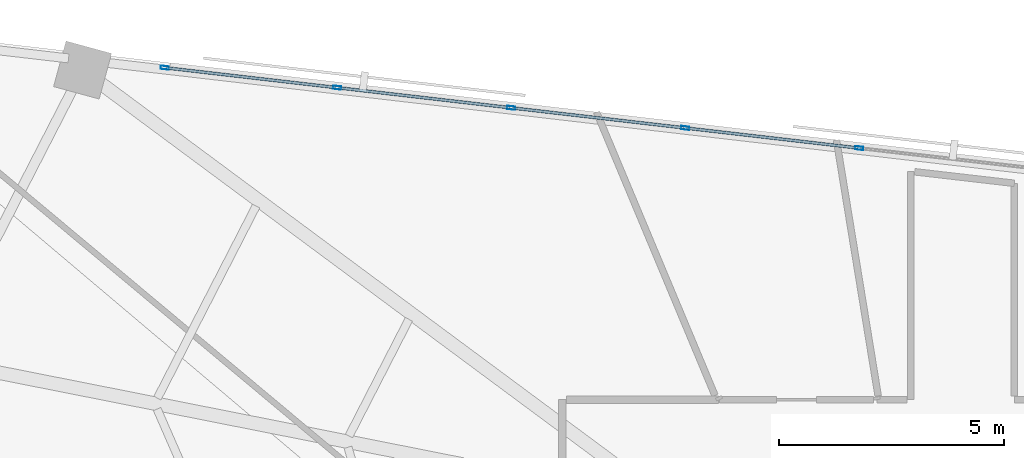
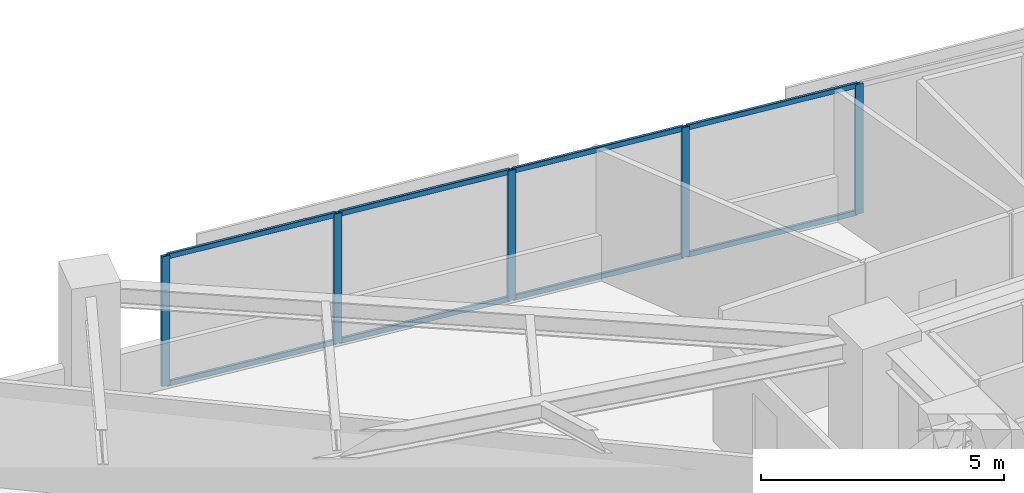
# One storey, part 7 of 13: 13 members, 1 element without a shape of its own.
"""IFC4 building model written with IfcOpenShell, lengths in metres."""

from ifc_helpers import new_model, si_unit, direction, frame, origin, origin_2d, place, context, subcontext, project, spatial, hollow_rectangle, extrude, material, material_profile, profile_set, type_object, element, aggregate, save


model = new_model("IFC4")

# Units and contexts
model_context = context("Model", 3, precision=1e-05, world=origin(), true_north=direction((0.0, 1.0)))
body_context = subcontext(model_context, "Body", "Model", "MODEL_VIEW")
ifc_project = project(units=[si_unit("LENGTHUNIT", "METRE"), si_unit("AREAUNIT", "SQUARE_METRE"), si_unit("VOLUMEUNIT", "CUBIC_METRE"), si_unit("PLANEANGLEUNIT", "RADIAN"), si_unit("MASSUNIT", "GRAM", prefix="KILO")], contexts=[model_context])

# Site, building, storey
site_placement = place(None, origin())
site = spatial("IfcSite", under=ifc_project, at=site_placement, CompositionType="ELEMENT")
building_placement = place(site_placement, origin())
building = spatial("IfcBuilding", under=site, at=building_placement, Name="Narakoshi Arena Tower", CompositionType="ELEMENT")
storey_placement = place(building_placement, frame((0.0, 0.0, 200.89990234375)))
storey = spatial("IfcBuildingStorey", under=building, at=storey_placement, Name="L54", CompositionType="ELEMENT", Elevation=200.89990234375)

# Curtain wall, members
ifc_material = material(Name="Anodised bronze aluminium 6063-T6", Category="aluminium")
curtain_wall_type = type_object("IfcCurtainWallType", Name="CW-HYP-MID", PredefinedType="NOTDEFINED", material=ifc_material)
curtain_wall_placement = place(storey_placement, origin())
curtain_wall = element("IfcCurtainWall", 1, at=curtain_wall_placement, inside=storey, type_object=curtain_wall_type, Name="L54 Folded Hypotenuse Curtain Wall 2-1", PredefinedType="NOTDEFINED")
ifc_material_profile_1 = material_profile(ifc_material, hollow_rectangle(XDim=0.074951171875, YDim=0.179931640625, WallThickness=0.00390625, OuterFilletRadius=0.0048828125, at=origin_2d()), Name="MUL180x75x4")
ifc_profile_set_1 = profile_set([ifc_material_profile_1], Name="Anodised bronze aluminium 6063-T6")
member_type_1 = type_object("IfcMemberType", Name="MEM-MUL-180", PredefinedType="MULLION", material=ifc_profile_set_1)
member_1_placement = place(storey_placement, frame((76.20068359375, 64.446533203125, 0.0), z_axis=(0.0, 0.0, 1.0), x_axis=(-0.115011296816, -0.993364183774, 0.0)))
member_1 = element("IfcMember", 2, at=member_1_placement, type_object=member_type_1, Name="CW-02 mullion 3", PredefinedType="MULLION", context=body_context, shape_type="SweptSolid", body=[
    extrude(hollow_rectangle(XDim=0.074951171875, YDim=0.179931640625, WallThickness=0.00390625, OuterFilletRadius=0.0048828125, at=origin_2d()), origin(), (0.0, 0.0, 1.0), 3.260009765625),
])
member_2_placement = place(storey_placement, frame((72.33154296875, 64.894287109375, 0.0), z_axis=(0.0, 0.0, 1.0), x_axis=(-0.115011296816, -0.993364183774, 0.0)))
member_2 = element("IfcMember", 3, at=member_2_placement, type_object=member_type_1, Name="CW-02 mullion 4", PredefinedType="MULLION", context=body_context, shape_type="SweptSolid", body=[
    extrude(hollow_rectangle(XDim=0.074951171875, YDim=0.179931640625, WallThickness=0.00390625, OuterFilletRadius=0.0048828125, at=origin_2d()), origin(), (0.0, 0.0, 1.0), 3.260009765625),
])
member_3_placement = place(storey_placement, frame((68.46240234375, 65.34228515625, 0.0), z_axis=(0.0, 0.0, 1.0), x_axis=(-0.115011296816, -0.993364183774, 0.0)))
member_3 = element("IfcMember", 4, at=member_3_placement, type_object=member_type_1, Name="CW-02 mullion 5", PredefinedType="MULLION", context=body_context, shape_type="SweptSolid", body=[
    extrude(hollow_rectangle(XDim=0.074951171875, YDim=0.179931640625, WallThickness=0.00390625, OuterFilletRadius=0.0048828125, at=origin_2d()), origin(), (0.0, 0.0, 1.0), 3.260009765625),
])
member_4_placement = place(storey_placement, frame((64.59326171875, 65.790283203125, 0.0), z_axis=(0.0, 0.0, 1.0), x_axis=(-0.115011296816, -0.993364183774, 0.0)))
member_4 = element("IfcMember", 5, at=member_4_placement, type_object=member_type_1, Name="CW-02 mullion 6", PredefinedType="MULLION", context=body_context, shape_type="SweptSolid", body=[
    extrude(hollow_rectangle(XDim=0.074951171875, YDim=0.179931640625, WallThickness=0.00390625, OuterFilletRadius=0.0048828125, at=origin_2d()), origin(), (0.0, 0.0, 1.0), 3.260009765625),
])
member_5_placement = place(storey_placement, frame((60.76123046875, 66.23388671875, 0.0), z_axis=(0.0, 0.0, 1.0), x_axis=(-0.115011296816, -0.993364183774, 0.0)))
member_5 = element("IfcMember", 6, at=member_5_placement, type_object=member_type_1, Name="CW-02 mullion 7", PredefinedType="MULLION", context=body_context, shape_type="SweptSolid", body=[
    extrude(hollow_rectangle(XDim=0.074951171875, YDim=0.179931640625, WallThickness=0.00390625, OuterFilletRadius=0.0048828125, at=origin_2d()), origin(), (0.0, 0.0, 1.0), 3.260009765625),
])
ifc_material_profile_2 = material_profile(ifc_material, hollow_rectangle(XDim=0.06494140625, YDim=0.1298828125, WallThickness=0.00390625, OuterFilletRadius=0.0048828125, at=origin_2d()), Name="TRN130x65x4")
ifc_profile_set_2 = profile_set([ifc_material_profile_2], Name="Anodised bronze aluminium 6063-T6")
member_type_2 = type_object("IfcMemberType", Name="MEM-TRN-130", PredefinedType="USERDEFINED", material=ifc_profile_set_2)
member_6_placement = place(storey_placement, frame((76.163330078125, 64.45068359375, 0.03271484375), z_axis=(-0.993360986362, 0.115038909828, 0.0), x_axis=(-0.115038909828, -0.993360986362, 0.0)))
member_6 = element("IfcMember", 7, at=member_6_placement, type_object=member_type_2, Name="CW-02 transom 3.1", ObjectType="TRANSOM", PredefinedType="USERDEFINED", context=body_context, shape_type="SweptSolid", body=[
    extrude(hollow_rectangle(XDim=0.06494140625, YDim=0.1298828125, WallThickness=0.00390625, OuterFilletRadius=0.0048828125, at=origin_2d()), origin(), (0.0, 0.0, 1.0), 3.820068359375),
])
member_7_placement = place(storey_placement, frame((76.163330078125, 64.45068359375, 3.2275390625), z_axis=(-0.993360986362, 0.115038909828, 0.0), x_axis=(-0.115038909828, -0.993360986362, 0.0)))
member_7 = element("IfcMember", 8, at=member_7_placement, type_object=member_type_2, Name="CW-02 transom 3.2", ObjectType="TRANSOM", PredefinedType="USERDEFINED", context=body_context, shape_type="SweptSolid", body=[
    extrude(hollow_rectangle(XDim=0.06494140625, YDim=0.1298828125, WallThickness=0.00390625, OuterFilletRadius=0.0048828125, at=origin_2d()), origin(), (0.0, 0.0, 1.0), 3.820068359375),
])
member_8_placement = place(storey_placement, frame((72.294189453125, 64.898681640625, 0.03271484375), z_axis=(-0.993360986362, 0.115038909828, 0.0), x_axis=(-0.115038909828, -0.993360986362, 0.0)))
member_8 = element("IfcMember", 9, at=member_8_placement, type_object=member_type_2, Name="CW-02 transom 4.1", ObjectType="TRANSOM", PredefinedType="USERDEFINED", context=body_context, shape_type="SweptSolid", body=[
    extrude(hollow_rectangle(XDim=0.06494140625, YDim=0.1298828125, WallThickness=0.00390625, OuterFilletRadius=0.0048828125, at=origin_2d()), origin(), (0.0, 0.0, 1.0), 3.820068359375),
])
member_9_placement = place(storey_placement, frame((72.294189453125, 64.898681640625, 3.2275390625), z_axis=(-0.993360986362, 0.115038909828, 0.0), x_axis=(-0.115038909828, -0.993360986362, 0.0)))
member_9 = element("IfcMember", 10, at=member_9_placement, type_object=member_type_2, Name="CW-02 transom 4.2", ObjectType="TRANSOM", PredefinedType="USERDEFINED", context=body_context, shape_type="SweptSolid", body=[
    extrude(hollow_rectangle(XDim=0.06494140625, YDim=0.1298828125, WallThickness=0.00390625, OuterFilletRadius=0.0048828125, at=origin_2d()), origin(), (0.0, 0.0, 1.0), 3.820068359375),
])
member_10_placement = place(storey_placement, frame((68.425048828125, 65.3466796875, 0.03271484375), z_axis=(-0.993360986362, 0.115038909828, 0.0), x_axis=(-0.115038909828, -0.993360986362, 0.0)))
member_10 = element("IfcMember", 11, at=member_10_placement, type_object=member_type_2, Name="CW-02 transom 5.1", ObjectType="TRANSOM", PredefinedType="USERDEFINED", context=body_context, shape_type="SweptSolid", body=[
    extrude(hollow_rectangle(XDim=0.06494140625, YDim=0.1298828125, WallThickness=0.00390625, OuterFilletRadius=0.0048828125, at=origin_2d()), origin(), (0.0, 0.0, 1.0), 3.820068359375),
])
member_11_placement = place(storey_placement, frame((68.425048828125, 65.3466796875, 3.2275390625), z_axis=(-0.993360986362, 0.115038909828, 0.0), x_axis=(-0.115038909828, -0.993360986362, 0.0)))
member_11 = element("IfcMember", 12, at=member_11_placement, type_object=member_type_2, Name="CW-02 transom 5.2", ObjectType="TRANSOM", PredefinedType="USERDEFINED", context=body_context, shape_type="SweptSolid", body=[
    extrude(hollow_rectangle(XDim=0.06494140625, YDim=0.1298828125, WallThickness=0.00390625, OuterFilletRadius=0.0048828125, at=origin_2d()), origin(), (0.0, 0.0, 1.0), 3.820068359375),
])
member_12_placement = place(storey_placement, frame((64.555908203125, 65.794677734375, 0.03271484375), z_axis=(-0.993363061903, 0.115020986115, 0.0), x_axis=(-0.115020986115, -0.993363061903, 0.0)))
member_12 = element("IfcMember", 13, at=member_12_placement, type_object=member_type_2, Name="CW-02 transom 6.1", ObjectType="TRANSOM", PredefinedType="USERDEFINED", context=body_context, shape_type="SweptSolid", body=[
    extrude(hollow_rectangle(XDim=0.06494140625, YDim=0.1298828125, WallThickness=0.00390625, OuterFilletRadius=0.0048828125, at=origin_2d()), origin(), (0.0, 0.0, 1.0), 3.782470703125),
])
member_13_placement = place(storey_placement, frame((64.555908203125, 65.794677734375, 3.2275390625), z_axis=(-0.993363061903, 0.115020986115, 0.0), x_axis=(-0.115020986115, -0.993363061903, 0.0)))
member_13 = element("IfcMember", 14, at=member_13_placement, type_object=member_type_2, Name="CW-02 transom 6.2", ObjectType="TRANSOM", PredefinedType="USERDEFINED", context=body_context, shape_type="SweptSolid", body=[
    extrude(hollow_rectangle(XDim=0.06494140625, YDim=0.1298828125, WallThickness=0.00390625, OuterFilletRadius=0.0048828125, at=origin_2d()), origin(), (0.0, 0.0, 1.0), 3.782470703125),
])
aggregate(curtain_wall, [member_1, member_2, member_3, member_4, member_5, member_6, member_7, member_8, member_9, member_10, member_11, member_12, member_13])

save(model, "model.ifc")
